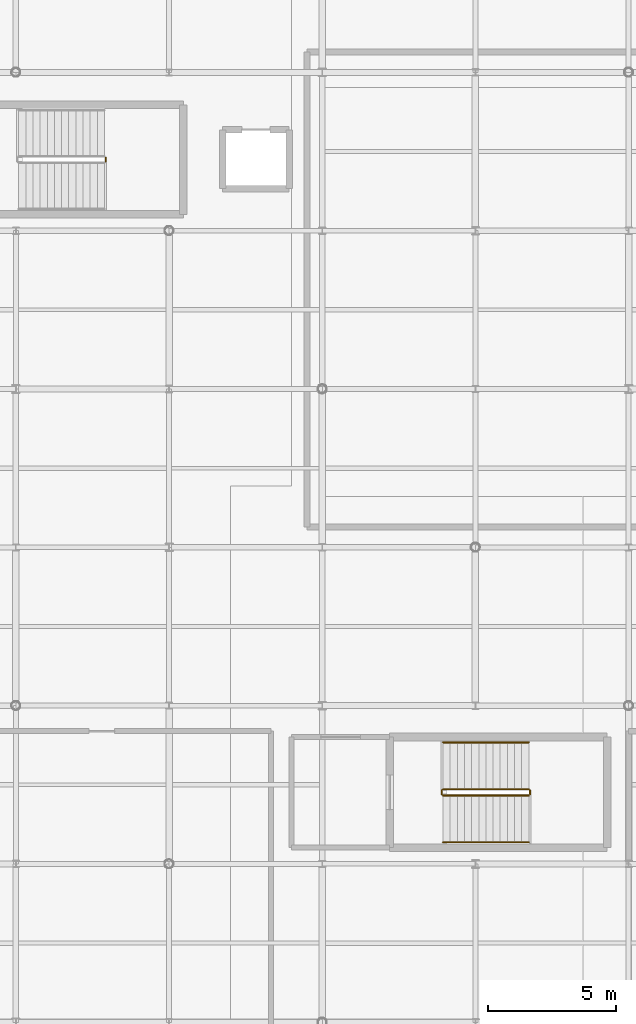
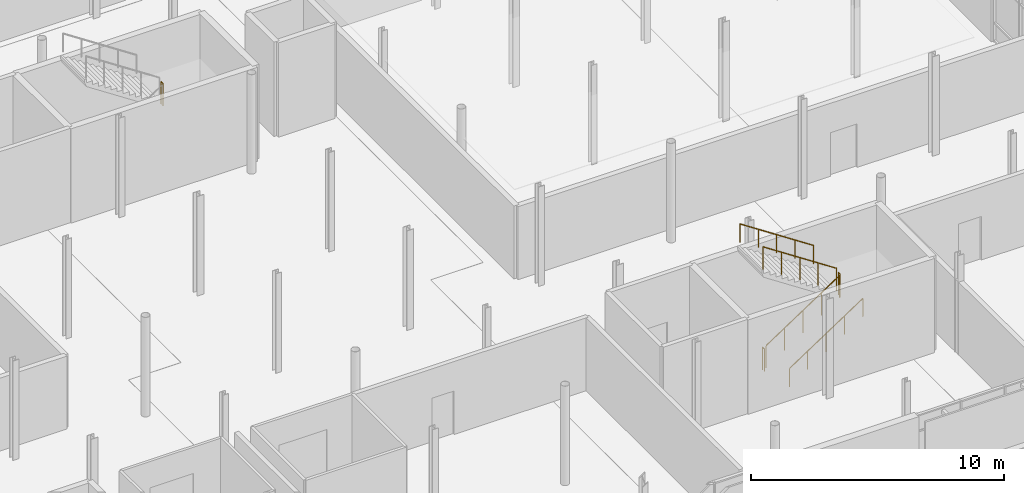
# One storey, part 82 of 84: 7 railings.
"""IFC4 building model written with IfcOpenShell, lengths in metres."""

import ifcopenshell
import ifcopenshell.guid

model = None  # the IFC model being written
_history = None  # IfcOwnerHistory: only IFC2X3 demands one
_inside = {}  # id of a spatial element -> (the spatial element, [elements in it])
_under = {}  # id of a project, library or spatial element -> (it, [spatial elements below it])
_declared = {}  # id of a project -> (the project, [libraries it declares])
_typed = {}  # id of a type object -> (the type object, [elements of that type])
_made_of = {}  # id of a material, layer set ... -> (it, [elements and type objects made of it])


def new_model(schema):
    """Start an empty IFC model of exactly this schema.

    Asked for "IFC4X3", IfcOpenShell would pick the latest addendum, in which some entities
    have other attributes; the version numbers below select the first issue.
    IFC2X3 requires an IfcOwnerHistory on every rooted entity: one is made here for all.
    """
    global model, _history
    if schema == "IFC4X3":
        model = ifcopenshell.file(schema_version=(4, 3, 0, 0))
    else:
        model = ifcopenshell.file(schema=schema)
    _inside.clear()
    _under.clear()
    _declared.clear()
    _typed.clear()
    _made_of.clear()
    _history = None
    if model.schema == "IFC2X3":
        org = make("IfcOrganization", Name="unknown")
        user = make(
            "IfcPersonAndOrganization",
            ThePerson=make("IfcPerson", FamilyName="unknown"),
            TheOrganization=org,
        )
        app = make(
            "IfcApplication",
            ApplicationDeveloper=org,
            Version="unknown",
            ApplicationFullName="unknown",
            ApplicationIdentifier="unknown",
        )
        _history = make(
            "IfcOwnerHistory",
            OwningUser=user,
            OwningApplication=app,
            ChangeAction="ADDED",
            CreationDate=0,
        )
    return model


def make(cls, **values):
    """One entity of the class cls with the attributes given. An attribute that is None is left unset."""
    return model.create_entity(
        cls, **{name: value for name, value in values.items() if value is not None}
    )


def rooted(cls, **values):
    """An entity with a GlobalId (a new one), such as an element, a storey or a relation."""
    return make(cls, GlobalId=ifcopenshell.guid.new(), OwnerHistory=_history, **values)


def si_unit(unit_type, name, prefix=None):
    """IfcSIUnit, for example si_unit("LENGTHUNIT", "METRE", prefix="MILLI")."""
    return make("IfcSIUnit", UnitType=unit_type, Prefix=prefix, Name=name)


def assignment(units):
    """IfcUnitAssignment: the units of a project."""
    return None if units is None else make("IfcUnitAssignment", Units=units)


def point(xyz):
    """IfcCartesianPoint."""
    return None if xyz is None else make("IfcCartesianPoint", Coordinates=xyz)


def direction(xyz):
    """IfcDirection."""
    return None if xyz is None else make("IfcDirection", DirectionRatios=xyz)


def frame(location, z_axis=None, x_axis=None):
    """IfcAxis2Placement3D, a coordinate frame: its origin and axes. An axis left out is left unset."""
    return make(
        "IfcAxis2Placement3D",
        Location=point(location),
        Axis=direction(z_axis),
        RefDirection=direction(x_axis),
    )


def frame_2d(location, x_axis=None):
    """IfcAxis2Placement2D, a coordinate frame in the plane: its origin and x axis."""
    return make(
        "IfcAxis2Placement2D", Location=point(location), RefDirection=direction(x_axis)
    )


def origin():
    """The frame at (0, 0, 0) with its axes left unset."""
    return frame((0.0, 0.0, 0.0))


def origin_2d():
    """The frame at (0, 0) in the plane with its x axis left unset."""
    return frame_2d((0.0, 0.0))


def place(relative_to, where):
    """IfcLocalPlacement: puts the frame where relative to a parent placement (None: the world)."""
    return make(
        "IfcLocalPlacement", PlacementRelTo=relative_to, RelativePlacement=where
    )


def context(
    kind, dimensions, precision=None, world=None, true_north=None, identifier=None
):
    """IfcGeometricRepresentationContext, for example the 3D "Model" context."""
    return make(
        "IfcGeometricRepresentationContext",
        ContextIdentifier=identifier,
        ContextType=kind,
        CoordinateSpaceDimension=dimensions,
        Precision=precision,
        WorldCoordinateSystem=world,
        TrueNorth=true_north,
    )


def subcontext(parent, identifier, kind, view, scale=None):
    """IfcGeometricRepresentationSubContext, for example "Body" below "Model"."""
    return make(
        "IfcGeometricRepresentationSubContext",
        ContextIdentifier=identifier,
        ContextType=kind,
        ParentContext=parent,
        TargetScale=scale,
        TargetView=view,
    )


def project(units=None, contexts=None):
    """IfcProject with its units and contexts."""
    return rooted(
        "IfcProject",
        Name="project",
        RepresentationContexts=contexts,
        UnitsInContext=assignment(units),
    )


def spatial(cls, under=None, at=None, **own):
    """A site, building, storey or space (cls), placed at a placement, below another one or the project."""
    s = rooted(cls, ObjectPlacement=at, **own)
    if under is not None:
        _under.setdefault(under.id(), (under, []))[1].append(s)
    return s


def profile(cls, at=None, kind="AREA", **sizes):
    """A parametric profile (cls). Its sizes go by their IFC names, for example OverallWidth=200.0."""
    return make(cls, ProfileType=kind, Position=at, **sizes)


def circle(**sizes):
    """IfcCircleProfileDef."""
    return profile("IfcCircleProfileDef", **sizes)


def extrude(swept, where, along, depth):
    """IfcExtrudedAreaSolid: the profile swept, set in the frame where, extruded along a direction by depth."""
    return make(
        "IfcExtrudedAreaSolid",
        SweptArea=swept,
        Position=where,
        ExtrudedDirection=direction(along),
        Depth=depth,
    )


def shape(context_of_items, identifier, shape_type, items):
    """IfcShapeRepresentation: the items that make up one representation, for example the "Body"."""
    return make(
        "IfcShapeRepresentation",
        ContextOfItems=context_of_items,
        RepresentationIdentifier=identifier,
        RepresentationType=shape_type,
        Items=items,
    )


def material(Name=None, Category=None):
    """IfcMaterial."""
    return make("IfcMaterial", Name=Name, Category=Category)


def made_of(thing, what):
    """Note that an element or type object is made of a material, layer set ...; save() writes the relation."""
    if what is not None:
        _made_of.setdefault(what.id(), (what, []))[1].append(thing)
    return thing


def type_object(cls, material=None, **own):
    """A type object (cls), such as IfcWallType, which elements share."""
    return made_of(rooted(cls, **own), material)


def element(
    cls,
    number,
    at=None,
    inside=None,
    cuts=None,
    type_object=None,
    material=None,
    context=None,
    identifier="Body",
    shape_type=None,
    held_by="IfcProductDefinitionShape",
    body=None,
    shapes=None,
    **own,
):
    """One element of the class cls, such as IfcWall. Its Tag is "e" and its number.

    at: its placement. inside: the storey or other place that contains it. cuts: it is an
    opening in that element (IfcRelVoidsElement). A single representation is given by context,
    identifier, shape_type and body (its items); several are given by shapes. held_by: the class
    of the entity that holds the representations. save() writes the other relations.
    """
    e = rooted(cls, Tag="e%d" % number, ObjectPlacement=at, **own)
    if body is not None:
        shapes = [shape(context, identifier, shape_type, body)]
    if shapes is not None:
        e.Representation = make(held_by, Representations=shapes)
    if inside is not None:
        _inside.setdefault(inside.id(), (inside, []))[1].append(e)
    if cuts is not None:
        rooted(
            "IfcRelVoidsElement", RelatingBuildingElement=cuts, RelatedOpeningElement=e
        )
    if type_object is not None:
        _typed.setdefault(type_object.id(), (type_object, []))[1].append(e)
    return made_of(e, material)


def aggregate(whole, parts):
    """IfcRelAggregates: a whole, such as a stair, and the parts it consists of."""
    return rooted("IfcRelAggregates", RelatingObject=whole, RelatedObjects=parts)


def save(model, path):
    """Write the relations noted so far, then the file.

    IfcRelAggregates (storeys below a building ...), IfcRelContainedInSpatialStructure (elements
    in a storey), IfcRelDefinesByType, IfcRelAssociatesMaterial and IfcRelDeclares: one each for
    every whole, place, type object, material and project.
    """
    for whole, parts in _under.values():
        aggregate(whole, parts)
    for where, things in _inside.values():
        rooted(
            "IfcRelContainedInSpatialStructure",
            RelatedElements=things,
            RelatingStructure=where,
        )
    for kind, things in _typed.values():
        rooted("IfcRelDefinesByType", RelatedObjects=things, RelatingType=kind)
    for what, things in _made_of.values():
        rooted("IfcRelAssociatesMaterial", RelatedObjects=things, RelatingMaterial=what)
    for by, libraries in _declared.values():
        rooted("IfcRelDeclares", RelatingContext=by, RelatedDefinitions=libraries)
    model.write(path)


model = new_model("IFC4")

# Units and contexts
model_context = context("Model", 3, precision=1e-05, world=origin(), true_north=direction((0.0, 1.0)))
body_context = subcontext(model_context, "Body", "Model", "MODEL_VIEW")
ifc_project = project(units=[si_unit("LENGTHUNIT", "METRE"), si_unit("AREAUNIT", "SQUARE_METRE"), si_unit("VOLUMEUNIT", "CUBIC_METRE"), si_unit("PLANEANGLEUNIT", "RADIAN"), si_unit("MASSUNIT", "GRAM", prefix="KILO")], contexts=[model_context])

# Site, building, storey
site_placement = place(None, origin())
site = spatial("IfcSite", under=ifc_project, at=site_placement, CompositionType="ELEMENT")
building_placement = place(site_placement, origin())
building = spatial("IfcBuilding", under=site, at=building_placement, Name="Mirzam Square Science Centre", CompositionType="ELEMENT")
storey_placement = place(building_placement, frame((0.0, 0.0, 10.800048828125)))
storey = spatial("IfcBuildingStorey", under=building, at=storey_placement, Name="L02", CompositionType="ELEMENT", Elevation=10.800048828125)

# Railings
ifc_material_1 = material(Name="Bronze-Anodised Architectural Balustrade", Category="aluminium")
railing_type_1 = type_object("IfcRailingType", Name="RL-INT-GUARD-1100", PredefinedType="GUARDRAIL", material=ifc_material_1)
railing_1_placement = place(storey_placement, frame((129.52001953125, 77.110107421875, 2.39990234375)))
element("IfcRailing", 1, at=railing_1_placement, inside=storey, type_object=railing_type_1, Name="L02 ST-04 stair guard 2", PredefinedType="GUARDRAIL", context=body_context, shape_type="SweptSolid", body=[
    extrude(circle(Radius=0.02392578125, at=origin_2d()), frame((0.0, 0.0, 1.076171875), z_axis=(0.0, 1.0, 0.0), x_axis=(-1.0, 0.0, 0.0)), (0.0, 0.0, 1.0), 0.14990234375),
    extrude(circle(Radius=0.02099609375, at=origin_2d()), origin(), (0.0, 0.0, 1.0), 1.052001953125),
    extrude(circle(Radius=0.02099609375, at=origin_2d()), frame((0.0, 0.14990234375, 0.0)), (0.0, 0.0, 1.0), 1.052001953125),
])
railing_2_placement = place(storey_placement, frame((142.72998046875, 52.280029296875, 0.1845703125)))
element("IfcRailing", 2, at=railing_2_placement, inside=storey, type_object=railing_type_1, Name="L02 ST-05 stair guard 1", PredefinedType="GUARDRAIL", context=body_context, shape_type="SweptSolid", body=[
    extrude(circle(Radius=0.02392578125, at=origin_2d()), frame((0.0, 0.0, 1.076171875), z_axis=(0.834876476806, 0.0, 0.550437342915), x_axis=(0.0, 1.0, 0.0)), (0.0, 0.0, 1.0), 4.024658203125),
    extrude(circle(Radius=0.02099609375, at=origin_2d()), origin(), (0.0, 0.0, 1.0), 1.052001953125),
    extrude(circle(Radius=0.02099609375, at=origin_2d()), frame((0.840087890625, 0.0, 0.5537109375)), (0.0, 0.0, 1.0), 1.052001953125),
    extrude(circle(Radius=0.02099609375, at=origin_2d()), frame((1.68017578125, 0.0, 1.107666015625)), (0.0, 0.0, 1.0), 1.052001953125),
    extrude(circle(Radius=0.02099609375, at=origin_2d()), frame((2.52001953125, 0.0, 1.66162109375)), (0.0, 0.0, 1.0), 1.052001953125),
    extrude(circle(Radius=0.02099609375, at=origin_2d()), frame((3.360107421875, 0.0, 2.21533203125)), (0.0, 0.0, 1.0), 1.052001953125),
])
railing_3_placement = place(storey_placement, frame((146.139892578125, 52.330078125, 2.39990234375)))
element("IfcRailing", 3, at=railing_3_placement, inside=storey, type_object=railing_type_1, Name="L02 ST-05 stair guard 2", PredefinedType="GUARDRAIL", context=body_context, shape_type="SweptSolid", body=[
    extrude(circle(Radius=0.02392578125, at=origin_2d()), frame((0.0, 0.0, 1.076171875), z_axis=(0.0, 1.0, 0.0), x_axis=(-1.0, 0.0, 0.0)), (0.0, 0.0, 1.0), 0.14990234375),
    extrude(circle(Radius=0.02099609375, at=origin_2d()), origin(), (0.0, 0.0, 1.0), 1.052001953125),
    extrude(circle(Radius=0.02099609375, at=origin_2d()), frame((0.0, 0.14990234375, 0.0)), (0.0, 0.0, 1.0), 1.052001953125),
])
railing_4_placement = place(storey_placement, frame((146.090087890625, 52.530029296875, 2.58447265625)))
element("IfcRailing", 4, at=railing_4_placement, inside=storey, type_object=railing_type_1, Name="L02 ST-05 stair guard 3", PredefinedType="GUARDRAIL", context=body_context, shape_type="SweptSolid", body=[
    extrude(circle(Radius=0.02392578125, at=origin_2d()), frame((0.0, 0.0, 1.076171875), z_axis=(-0.834848600103, 0.0, 0.550479622607), x_axis=(0.0, -1.0, 0.0)), (0.0, 0.0, 1.0), 4.02490234375),
    extrude(circle(Radius=0.02099609375, at=origin_2d()), origin(), (0.0, 0.0, 1.0), 1.052001953125),
    extrude(circle(Radius=0.02099609375, at=origin_2d()), frame((-0.840087890625, 0.0, 0.553955078125)), (0.0, 0.0, 1.0), 1.052001953125),
    extrude(circle(Radius=0.02099609375, at=origin_2d()), frame((-1.68017578125, 0.0, 1.10791015625)), (0.0, 0.0, 1.0), 1.052001953125),
    extrude(circle(Radius=0.02099609375, at=origin_2d()), frame((-2.52001953125, 0.0, 1.66162109375)), (0.0, 0.0, 1.0), 1.052001953125),
    extrude(circle(Radius=0.02099609375, at=origin_2d()), frame((-3.360107421875, 0.0, 2.215576171875)), (0.0, 0.0, 1.0), 1.052001953125),
])
railing_5_placement = place(storey_placement, frame((142.679931640625, 52.330078125, 0.0)))
element("IfcRailing", 5, at=railing_5_placement, inside=storey, type_object=railing_type_1, Name="L02 ST-05 stair guard 4", PredefinedType="GUARDRAIL", context=body_context, shape_type="SweptSolid", body=[
    extrude(circle(Radius=0.02392578125, at=origin_2d()), frame((0.0, 0.0, 1.076171875), z_axis=(0.0, 1.0, 0.0), x_axis=(-1.0, 0.0, 0.0)), (0.0, 0.0, 1.0), 0.14990234375),
    extrude(circle(Radius=0.02099609375, at=origin_2d()), origin(), (0.0, 0.0, 1.0), 1.052001953125),
    extrude(circle(Radius=0.02099609375, at=origin_2d()), frame((0.0, 0.14990234375, 0.0)), (0.0, 0.0, 1.0), 1.052001953125),
])
ifc_material_2 = material(Name="Brushed Bronze Tubular Handrail", Category="aluminium")
railing_type_2 = type_object("IfcRailingType", Name="RL-STAIR-HANDRAIL-900", PredefinedType="HANDRAIL", material=ifc_material_2)
railing_6_placement = place(storey_placement, frame((142.72998046875, 50.449951171875, 0.381103515625)))
element("IfcRailing", 6, at=railing_6_placement, inside=storey, type_object=railing_type_2, Name="L02 ST-05 stair handrail 1", PredefinedType="HANDRAIL", context=body_context, shape_type="SweptSolid", body=[
    extrude(circle(Radius=0.02392578125, at=origin_2d()), frame((0.0, 0.0, 0.8759765625), z_axis=(0.834848600103, 0.0, 0.550479622607), x_axis=(0.0, 1.0, 0.0)), (0.0, 0.0, 1.0), 4.02490234375),
    extrude(circle(Radius=0.02099609375, at=origin_2d()), origin(), (0.0, 0.0, 1.0), 0.851806640625),
    extrude(circle(Radius=0.02099609375, at=origin_2d()), frame((0.840087890625, 0.0, 0.553955078125)), (0.0, 0.0, 1.0), 0.851806640625),
    extrude(circle(Radius=0.02099609375, at=origin_2d()), frame((1.68017578125, 0.0, 1.10791015625)), (0.0, 0.0, 1.0), 0.851806640625),
    extrude(circle(Radius=0.02099609375, at=origin_2d()), frame((2.52001953125, 0.0, 1.66162109375)), (0.0, 0.0, 1.0), 0.851806640625),
    extrude(circle(Radius=0.02099609375, at=origin_2d()), frame((3.360107421875, 0.0, 2.215576171875)), (0.0, 0.0, 1.0), 0.851806640625),
])
railing_7_placement = place(storey_placement, frame((146.090087890625, 54.360107421875, 2.78125)))
element("IfcRailing", 7, at=railing_7_placement, inside=storey, type_object=railing_type_2, Name="L02 ST-05 stair handrail 2", PredefinedType="HANDRAIL", context=body_context, shape_type="SweptSolid", body=[
    extrude(circle(Radius=0.02392578125, at=origin_2d()), frame((0.0, 0.0, 0.8759765625), z_axis=(-0.834876476806, 0.0, 0.550437342915), x_axis=(0.0, -1.0, 0.0)), (0.0, 0.0, 1.0), 4.024658203125),
    extrude(circle(Radius=0.02099609375, at=origin_2d()), origin(), (0.0, 0.0, 1.0), 0.851806640625),
    extrude(circle(Radius=0.02099609375, at=origin_2d()), frame((-0.840087890625, 0.0, 0.5537109375)), (0.0, 0.0, 1.0), 0.851806640625),
    extrude(circle(Radius=0.02099609375, at=origin_2d()), frame((-1.68017578125, 0.0, 1.107666015625)), (0.0, 0.0, 1.0), 0.851806640625),
    extrude(circle(Radius=0.02099609375, at=origin_2d()), frame((-2.52001953125, 0.0, 1.66162109375)), (0.0, 0.0, 1.0), 0.851806640625),
    extrude(circle(Radius=0.02099609375, at=origin_2d()), frame((-3.360107421875, 0.0, 2.21533203125)), (0.0, 0.0, 1.0), 0.851806640625),
])

save(model, "model.ifc")
